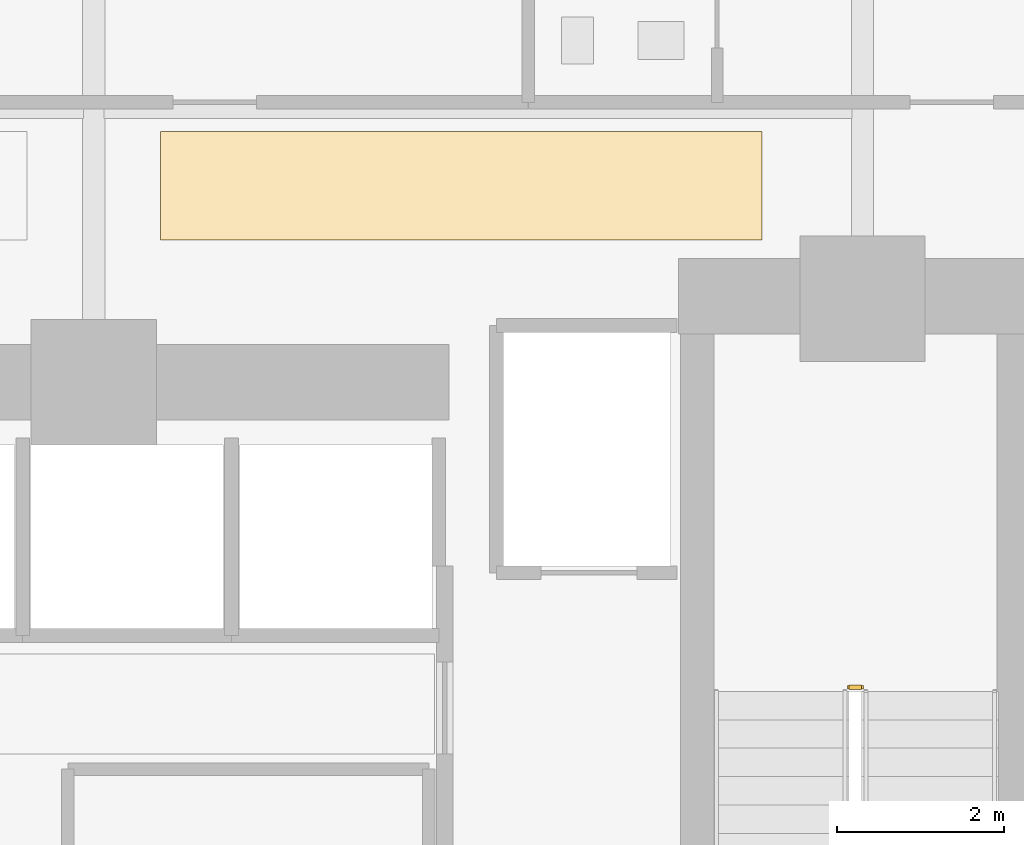
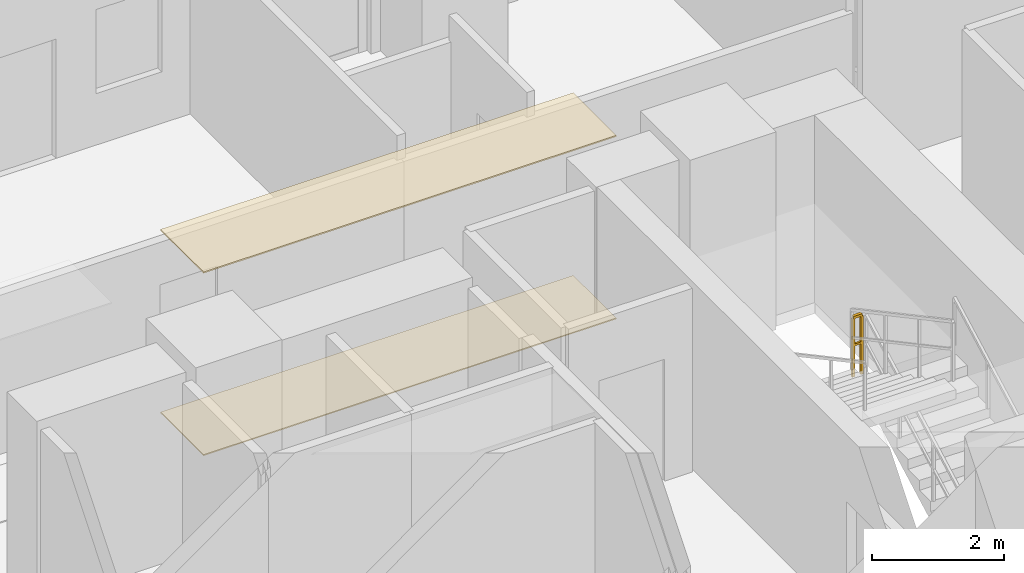
# One storey, part 29 of 30: 2 coverings, 1 railing.
"""IFC4 building model written with IfcOpenShell, lengths in metres."""

from ifc_helpers import new_model, si_unit, direction, frame, origin, origin_2d, place, context, subcontext, project, spatial, polyline, rectangle, outline, extrude, material, layer, layer_set, type_object, element, save


model = new_model("IFC4")

# Units and contexts
model_context = context("Model", 3, precision=1e-05, world=origin(), true_north=direction((0.0, 1.0)))
body_context = subcontext(model_context, "Body", "Model", "MODEL_VIEW")
ifc_project = project(units=[si_unit("LENGTHUNIT", "METRE"), si_unit("AREAUNIT", "SQUARE_METRE"), si_unit("VOLUMEUNIT", "CUBIC_METRE"), si_unit("PLANEANGLEUNIT", "RADIAN"), si_unit("MASSUNIT", "GRAM", prefix="KILO")], contexts=[model_context])

# Site, building, storey
site_placement = place(None, origin())
site = spatial("IfcSite", under=ifc_project, at=site_placement, CompositionType="ELEMENT")
building_placement = place(site_placement, origin())
building = spatial("IfcBuilding", under=site, at=building_placement, Name="Zuhayl Quay Hotel", CompositionType="ELEMENT")
storey_placement = place(building_placement, frame((0.0, 0.0, 86.0)))
storey = spatial("IfcBuildingStorey", under=building, at=storey_placement, Name="L21", CompositionType="ELEMENT", Elevation=86.0)

# Coverings
ifc_material_1 = material(Name="Acoustic Mineral-Fibre Gypsum Board")
ifc_layer_1 = layer(ifc_material_1, 0.02490234375, Name="Acoustic Mineral-Fibre Gypsum Board")
ifc_layer_set_1 = layer_set([ifc_layer_1], Name="Acoustic Mineral-Fibre Gypsum Board")
covering_type_1 = type_object("IfcCoveringType", Name="CV_CEIL_ACOUSTIC", PredefinedType="CEILING", material=ifc_layer_set_1)
covering_1_placement = place(storey_placement, frame((0.0, 0.0, 3.364990234375)))
element("IfcCovering", 1, at=covering_1_placement, inside=storey, type_object=covering_type_1, Name="L21 Guest Corridor Acoustic Ceiling CE", PredefinedType="CEILING", context=body_context, shape_type="SweptSolid", body=[
    extrude(outline(polyline([(5.39990234375, 15.050048828125), (12.60009765625, 15.050048828125), (12.60009765625, 16.35009765625), (5.39990234375, 16.35009765625), (5.39990234375, 15.050048828125)])), origin(), (0.0, 0.0, 1.0), 0.02490234375),
])
ifc_material_2 = material(Name="Polished Limestone Terrazzo", Category="masonry")
ifc_layer_2 = layer(ifc_material_2, 0.02001953125, Name="Polished Limestone Terrazzo", Category="masonry")
ifc_layer_set_2 = layer_set([ifc_layer_2], Name="Polished Limestone Terrazzo")
covering_type_2 = type_object("IfcCoveringType", Name="CV_FLOOR_TERRAZZO", PredefinedType="FLOORING", material=ifc_layer_set_2)
covering_2_placement = place(storey_placement, origin())
element("IfcCovering", 2, at=covering_2_placement, inside=storey, type_object=covering_type_2, Name="L21 Guest Corridor Terrazzo Runner CE", PredefinedType="FLOORING", context=body_context, shape_type="SweptSolid", body=[
    extrude(outline(polyline([(5.39990234375, 15.050048828125), (12.60009765625, 15.050048828125), (12.60009765625, 16.35009765625), (5.39990234375, 16.35009765625), (5.39990234375, 15.050048828125)])), origin(), (0.0, 0.0, 1.0), 0.02001953125),
])

# Railing
ifc_material_3 = material(Name="Steel ASTM A992 Grade 50", Category="steel")
railing_type = type_object("IfcRailingType", Name="RL_GUARD_1100", PredefinedType="GUARDRAIL", material=ifc_material_3)
railing_placement = place(storey_placement, frame((13.7900390625, 9.699951171875, 1.824951171875)))
element("IfcRailing", 3, at=railing_placement, inside=storey, type_object=railing_type, Name="L21 ST2 stair guard 2", PredefinedType="GUARDRAIL", context=body_context, shape_type="SweptSolid", body=[
    extrude(rectangle(XDim=0.048095703125, YDim=0.048095703125, at=origin_2d()), frame((0.0, 0.0, 1.09619140625), z_axis=(-1.0, 0.0, 0.0), x_axis=(0.0, -1.0, 0.0)), (0.0, 0.0, 1.0), 0.150146484375),
    extrude(rectangle(XDim=0.0361328125, YDim=0.0361328125, at=origin_2d()), frame((0.0, 0.0, 0.58251953125), z_axis=(-1.0, 0.0, 0.0), x_axis=(0.0, -1.0, 0.0)), (0.0, 0.0, 1.0), 0.150146484375),
    extrude(rectangle(XDim=0.0419921875, YDim=0.0419921875, at=origin_2d()), origin(), (0.0, 0.0, 1.0), 1.072021484375),
    extrude(rectangle(XDim=0.0419921875, YDim=0.0419921875, at=origin_2d()), frame((-0.150146484375, 0.0, 0.0)), (0.0, 0.0, 1.0), 1.072021484375),
])

save(model, "model.ifc")
